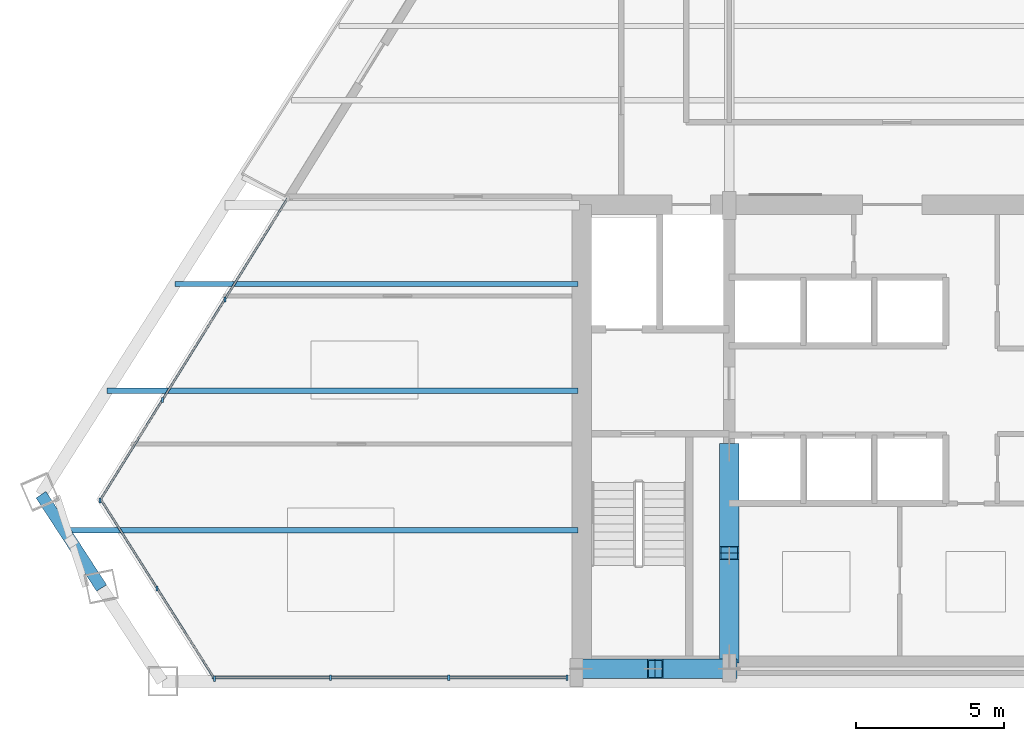
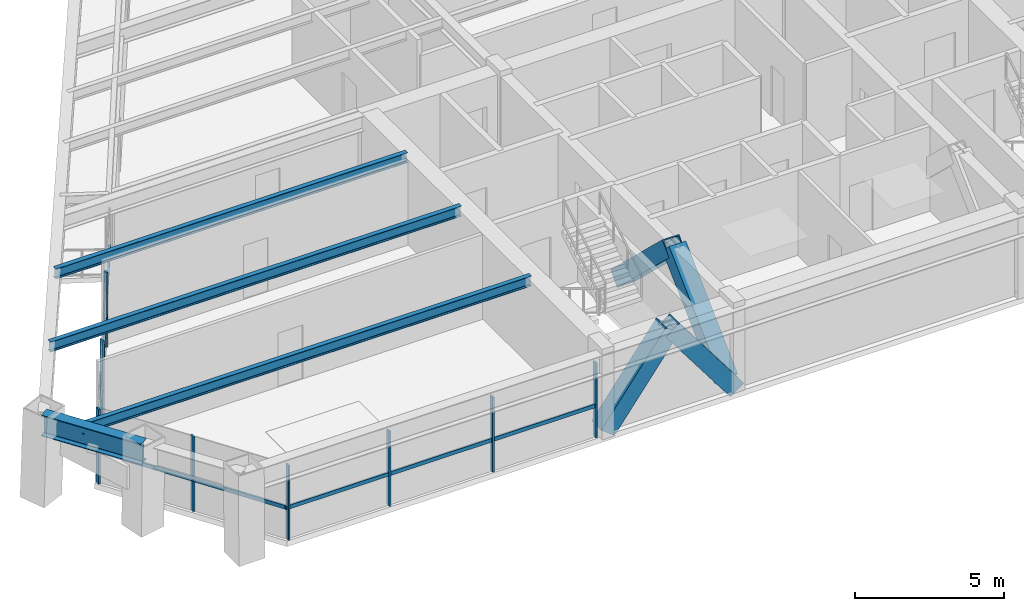
# One storey, part 2 of 15: 20 members, 4 beams, 3 elements without a shape of their own.
"""IFC4 building model written with IfcOpenShell, lengths in metres."""

from ifc_helpers import new_model, si_unit, direction, frame, origin, origin_2d, place, context, subcontext, project, spatial, rectangle, hollow_rectangle, i_section, extrude, source, transform, mapped, material, material_profile, profile_set, type_object, element, aggregate, save


model = new_model("IFC4")

# Units and contexts
model_context = context("Model", 3, precision=1e-05, world=origin(), true_north=direction((0.0, 1.0)))
body_context = subcontext(model_context, "Body", "Model", "MODEL_VIEW")
ifc_project = project(units=[si_unit("LENGTHUNIT", "METRE"), si_unit("AREAUNIT", "SQUARE_METRE"), si_unit("VOLUMEUNIT", "CUBIC_METRE"), si_unit("PLANEANGLEUNIT", "RADIAN"), si_unit("MASSUNIT", "GRAM", prefix="KILO")], contexts=[model_context])

# Site, building, storey
site_placement = place(None, origin())
site = spatial("IfcSite", under=ifc_project, at=site_placement, CompositionType="ELEMENT")
building_placement = place(site_placement, origin())
building = spatial("IfcBuilding", under=site, at=building_placement, Name="Varnakhor Terracotta Tower", CompositionType="ELEMENT")
storey_placement = place(building_placement, frame((0.0, 0.0, 185.800048828125)))
storey = spatial("IfcBuildingStorey", under=building, at=storey_placement, Name="L47", CompositionType="ELEMENT", Elevation=185.800048828125)

# Members
ifc_material_1 = material(Name="Steel S460", Category="steel")
ifc_material_profile_1 = material_profile(ifc_material_1, hollow_rectangle(XDim=0.64990234375, YDim=0.64990234375, WallThickness=0.0400390625, at=origin_2d()), Name="HSS650X650X40")
ifc_profile_set_1 = profile_set([ifc_material_profile_1], Name="Steel S460")
member_type_1 = type_object("IfcMemberType", Name="MBR-MEGA-650", PredefinedType="BRACE", material=ifc_profile_set_1)
shared_shape_1 = source(origin(), body_context, "Body", "SweptSolid", [
    extrude(hollow_rectangle(XDim=0.64990234375, YDim=0.64990234375, WallThickness=0.0400390625, at=origin_2d()), origin(), (0.0, 0.0, 1.0), 4.805908203125),
])
member_1_placement = place(storey_placement, frame((-5.5, 0.85009765625, 0.0), z_axis=(0.0, 0.723026776832, 0.69082000549), x_axis=(-1.0, 0.0, 0.0)))
element("IfcMember", 1, at=member_1_placement, inside=storey, type_object=member_type_1, Name="L47 Core Coupled Brace CWWA", PredefinedType="BRACE", context=body_context, shape_type="MappedRepresentation", body=[
    mapped(shared_shape_1, transform((0.0, 0.0, 0.0), scale=1.0)),
])
shared_shape_2 = source(origin(), body_context, "Body", "SweptSolid", [
    extrude(hollow_rectangle(XDim=0.64990234375, YDim=0.64990234375, WallThickness=0.0400390625, at=origin_2d()), origin(), (0.0, 0.0, 1.0), 4.156005859375),
])
for number, where, z_axis, x_axis, name in (
    (2, (-10.5, 0.419921875, 0.0), (0.601530923869, 0.0, 0.798849515009), (0.0, 1.0, 0.0), "L47 Core Coupled Brace CSWA"),
    (3, (-5.5, 0.419921875, 0.0), (-0.601530923869, 0.0, 0.798849515009), (0.0, -1.0, 0.0), "L47 Core Coupled Brace CSWB"),
):
    element("IfcMember", number, at=place(storey_placement, frame(where, z_axis=z_axis, x_axis=x_axis)), inside=storey, type_object=member_type_1, Name=name, PredefinedType="BRACE", context=body_context, shape_type="MappedRepresentation", body=[
        mapped(shared_shape_2, transform((0.0, 0.0, 0.0), scale=1.0)),
    ])
shared_shape_3 = source(origin(), body_context, "Body", "SweptSolid", [
    extrude(hollow_rectangle(XDim=0.64990234375, YDim=0.64990234375, WallThickness=0.0400390625, at=origin_2d()), origin(), (0.0, 0.0, 1.0), 4.80615234375),
])
member_2_placement = place(storey_placement, frame((-5.5, 7.800048828125, 0.0), z_axis=(0.0, -0.723051018573, 0.690794632681), x_axis=(1.0, 0.0, 0.0)))
element("IfcMember", 4, at=member_2_placement, inside=storey, type_object=member_type_1, Name="L47 Core Coupled Brace CWWB", PredefinedType="BRACE", context=body_context, shape_type="MappedRepresentation", body=[
    mapped(shared_shape_3, transform((0.0, 0.0, 0.0), scale=1.0)),
])

# Beams
ifc_material_2 = material(Name="Steel S355", Category="steel")
ifc_material_profile_2 = material_profile(ifc_material_2, i_section(OverallWidth=0.39990234375, OverallDepth=0.85498046875, WebThickness=0.01806640625, FlangeThickness=0.029052734375, FilletRadius=0.01806640625, at=origin_2d()), Name="W33X201")
ifc_profile_set_2 = profile_set([ifc_material_profile_2], Name="Steel S355")
beam_type_1 = type_object("IfcBeamType", Name="BM-W33X201", PredefinedType="BEAM", material=ifc_profile_set_2)
shared_shape_4 = source(origin(), body_context, "Body", "SweptSolid", [
    extrude(i_section(OverallWidth=0.39990234375, OverallDepth=0.85498046875, WebThickness=0.01806640625, FlangeThickness=0.029052734375, FilletRadius=0.01806640625, at=origin_2d()), origin(), (0.0, 0.0, 1.0), 3.75244140625),
])
beam_1_placement = place(storey_placement, frame((-28.710205078125, 6.294189453125, 3.04248046875), z_axis=(0.544691025118, -0.838636802887, 0.0), x_axis=(0.838636802887, 0.544691025118, 0.0)))
element("IfcBeam", 5, at=beam_1_placement, inside=storey, type_object=beam_type_1, Name="L47 Perimeter Spandrel 7", PredefinedType="BEAM", context=body_context, shape_type="MappedRepresentation", body=[
    mapped(shared_shape_4, transform((0.0, 0.0, 0.0), scale=1.0)),
])
ifc_material_profile_3 = material_profile(ifc_material_2, i_section(OverallWidth=0.179931640625, OverallDepth=0.4130859375, WebThickness=0.009765625, FlangeThickness=0.01611328125, FilletRadius=0.01806640625, at=origin_2d()), Name="W16X50")
ifc_profile_set_3 = profile_set([ifc_material_profile_3], Name="Steel S355")
beam_type_2 = type_object("IfcBeamType", Name="JST-W16X50", PredefinedType="JOIST", material=ifc_profile_set_3)
shared_shape_5 = source(origin(), body_context, "Body", "SweptSolid", [
    extrude(i_section(OverallWidth=0.179931640625, OverallDepth=0.4130859375, WebThickness=0.009765625, FlangeThickness=0.01611328125, FilletRadius=0.01806640625, at=origin_2d()), origin(), (0.0, 0.0, 1.0), 17.33447265625),
])
beam_2_placement = place(storey_placement, frame((-27.9345703125, 5.10009765625, 3.263427734375), z_axis=(1.0, 0.0, 0.0), x_axis=(0.0, 1.0, 0.0)))
element("IfcBeam", 6, at=beam_2_placement, inside=storey, type_object=beam_type_2, Name="L47 Floor Joist W1", PredefinedType="JOIST", context=body_context, shape_type="MappedRepresentation", body=[
    mapped(shared_shape_5, transform((0.0, 0.0, 0.0), scale=1.0)),
])
shared_shape_6 = source(origin(), body_context, "Body", "SweptSolid", [
    extrude(i_section(OverallWidth=0.179931640625, OverallDepth=0.4130859375, WebThickness=0.009765625, FlangeThickness=0.01611328125, FilletRadius=0.01806640625, at=origin_2d()), origin(), (0.0, 0.0, 1.0), 15.8828125),
])
beam_3_placement = place(storey_placement, frame((-26.48291015625, 9.800048828125, 3.263427734375), z_axis=(1.0, 0.0, 0.0), x_axis=(0.0, 1.0, 0.0)))
element("IfcBeam", 7, at=beam_3_placement, inside=storey, type_object=beam_type_2, Name="L47 Floor Joist W2", PredefinedType="JOIST", context=body_context, shape_type="MappedRepresentation", body=[
    mapped(shared_shape_6, transform((0.0, 0.0, 0.0), scale=1.0)),
])
shared_shape_7 = source(origin(), body_context, "Body", "SweptSolid", [
    extrude(i_section(OverallWidth=0.179931640625, OverallDepth=0.4130859375, WebThickness=0.009765625, FlangeThickness=0.01611328125, FilletRadius=0.01806640625, at=origin_2d()), origin(), (0.0, 0.0, 1.0), 13.59521484375),
])
beam_4_placement = place(storey_placement, frame((-24.1953125, 13.39990234375, 3.263427734375), z_axis=(1.0, 0.0, 0.0), x_axis=(0.0, 1.0, 0.0)))
element("IfcBeam", 8, at=beam_4_placement, inside=storey, type_object=beam_type_2, Name="L47 Floor Joist W3", PredefinedType="JOIST", context=body_context, shape_type="MappedRepresentation", body=[
    mapped(shared_shape_7, transform((0.0, 0.0, 0.0), scale=1.0)),
])

# Curtain wall, members
ifc_material_3 = material(Name="Anodised Aluminium Curtain Wall System", Category="aluminium")
curtain_wall_type = type_object("IfcCurtainWallType", Name="CW-SYS-MID-OFFICE", PredefinedType="NOTDEFINED", material=ifc_material_3)
curtain_wall_1_placement = place(storey_placement, origin())
curtain_wall_1 = element("IfcCurtainWall", 9, at=curtain_wall_1_placement, inside=storey, type_object=curtain_wall_type, Name="L47 W Facet Curtain Wall 1", PredefinedType="NOTDEFINED")
ifc_material_4 = material(Name="Anodised Aluminium 6063-T6", Category="aluminium")
ifc_material_profile_4 = material_profile(ifc_material_4, rectangle(XDim=0.070068359375, YDim=0.175048828125, at=origin_2d()), Name="ALU MULLION 70x175")
ifc_profile_set_4 = profile_set([ifc_material_profile_4], Name="Anodised Aluminium 6063-T6")
member_type_2 = type_object("IfcMemberType", Name="CWM-03", PredefinedType="MULLION", material=ifc_profile_set_4)
shared_shape_8 = source(origin(), body_context, "Body", "SweptSolid", [
    extrude(rectangle(XDim=0.070068359375, YDim=0.175048828125, at=origin_2d()), origin(), (0.0, 0.0, 1.0), 3.050048828125),
])
member_3_placement = place(storey_placement, frame((-26.718505859375, 6.1005859375, 0.0), z_axis=(0.0, 0.0, 1.0), x_axis=(1.0, 0.0, 0.0)))
member_3 = element("IfcMember", 10, at=member_3_placement, type_object=member_type_2, Name="L47 W Facet Curtain Wall 1 Mullion 1", PredefinedType="MULLION", context=body_context, shape_type="MappedRepresentation", body=[
    mapped(shared_shape_8, transform((0.0, 0.0, 0.0), scale=1.0)),
])
member_4_placement = place(storey_placement, frame((-24.6142578125, 9.49072265625, 0.0), z_axis=(0.0, 0.0, 1.0), x_axis=(1.0, 0.0, 0.0)))
member_4 = element("IfcMember", 11, at=member_4_placement, type_object=member_type_2, Name="L47 W Facet Curtain Wall 1 Mullion 2", PredefinedType="MULLION", context=body_context, shape_type="MappedRepresentation", body=[
    mapped(shared_shape_8, transform((0.0, 0.0, 0.0), scale=1.0)),
])
member_5_placement = place(storey_placement, frame((-22.510009765625, 12.880859375, 0.0), z_axis=(0.0, 0.0, 1.0), x_axis=(1.0, 0.0, 0.0)))
member_5 = element("IfcMember", 12, at=member_5_placement, type_object=member_type_2, Name="L47 W Facet Curtain Wall 1 Mullion 3", PredefinedType="MULLION", context=body_context, shape_type="MappedRepresentation", body=[
    mapped(shared_shape_8, transform((0.0, 0.0, 0.0), scale=1.0)),
])

curtain_wall_2_placement = place(storey_placement, origin())
curtain_wall_2 = element("IfcCurtainWall", 13, at=curtain_wall_2_placement, inside=storey, type_object=curtain_wall_type, Name="L47 South Wing Curtain Wall SSW", PredefinedType="NOTDEFINED")
member_6_placement = place(storey_placement, frame((-10.969970703125, 0.1201171875, 0.0), z_axis=(0.0, 0.0, 1.0), x_axis=(1.0, 0.0, 0.0)))
member_6 = element("IfcMember", 14, at=member_6_placement, type_object=member_type_2, Name="L47 South Wing Curtain Wall SSW Mullion 1", PredefinedType="MULLION", context=body_context, shape_type="MappedRepresentation", body=[
    mapped(shared_shape_8, transform((0.0, 0.0, 0.0), scale=1.0)),
])
member_7_placement = place(storey_placement, frame((-14.95947265625, 0.1201171875, 0.0), z_axis=(0.0, 0.0, 1.0), x_axis=(1.0, 0.0, 0.0)))
member_7 = element("IfcMember", 15, at=member_7_placement, type_object=member_type_2, Name="L47 South Wing Curtain Wall SSW Mullion 2", PredefinedType="MULLION", context=body_context, shape_type="MappedRepresentation", body=[
    mapped(shared_shape_8, transform((0.0, 0.0, 0.0), scale=1.0)),
])
member_8_placement = place(storey_placement, frame((-18.94873046875, 0.1201171875, 0.0), z_axis=(0.0, 0.0, 1.0), x_axis=(1.0, 0.0, 0.0)))
member_8 = element("IfcMember", 16, at=member_8_placement, type_object=member_type_2, Name="L47 South Wing Curtain Wall SSW Mullion 3", PredefinedType="MULLION", context=body_context, shape_type="MappedRepresentation", body=[
    mapped(shared_shape_8, transform((0.0, 0.0, 0.0), scale=1.0)),
])

curtain_wall_3_placement = place(storey_placement, origin())
curtain_wall_3 = element("IfcCurtainWall", 17, at=curtain_wall_3_placement, inside=storey, type_object=curtain_wall_type, Name="L47 Facet Curtain Wall 6", PredefinedType="NOTDEFINED")
member_9_placement = place(storey_placement, frame((-22.86279296875, 0.089599609375, 0.0), z_axis=(0.0, 0.0, 1.0), x_axis=(1.0, 0.0, 0.0)))
member_9 = element("IfcMember", 18, at=member_9_placement, type_object=member_type_2, Name="L47 Facet Curtain Wall 6 Mullion 1", PredefinedType="MULLION", context=body_context, shape_type="MappedRepresentation", body=[
    mapped(shared_shape_8, transform((0.0, 0.0, 0.0), scale=1.0)),
])
member_10_placement = place(storey_placement, frame((-24.791015625, 3.13330078125, 0.0), z_axis=(0.0, 0.0, 1.0), x_axis=(1.0, 0.0, 0.0)))
member_10 = element("IfcMember", 19, at=member_10_placement, type_object=member_type_2, Name="L47 Facet Curtain Wall 6 Mullion 2", PredefinedType="MULLION", context=body_context, shape_type="MappedRepresentation", body=[
    mapped(shared_shape_8, transform((0.0, 0.0, 0.0), scale=1.0)),
])

# Member
ifc_material_profile_5 = material_profile(ifc_material_4, rectangle(XDim=0.070068359375, YDim=0.155029296875, at=origin_2d()), Name="ALU TRANSOM 70x155")
ifc_profile_set_5 = profile_set([ifc_material_profile_5], Name="Anodised Aluminium 6063-T6")
member_type_3 = type_object("IfcMemberType", Name="CWT-03", PredefinedType="USERDEFINED", material=ifc_profile_set_5)
shared_shape_9 = source(origin(), body_context, "Body", "SweptSolid", [
    extrude(rectangle(XDim=0.070068359375, YDim=0.155029296875, at=origin_2d()), origin(), (0.0, 0.0, 1.0), 3.989990234375),
])
member_11_placement = place(storey_placement, frame((-26.718505859375, 6.1005859375, 1.281005859375), z_axis=(0.527367431071, 0.849637330068, 0.0), x_axis=(-0.849637330068, 0.527367431071, 0.0)))
member_11 = element("IfcMember", 20, at=member_11_placement, type_object=member_type_3, Name="L47 W Facet Curtain Wall 1 Transom 1", ObjectType="TRANSOM", PredefinedType="USERDEFINED", context=body_context, shape_type="MappedRepresentation", body=[
    mapped(shared_shape_9, transform((0.0, 0.0, 0.0), scale=1.0)),
])

member_12_placement = place(storey_placement, frame((-24.6142578125, 9.49072265625, 1.281005859375), z_axis=(0.527367431071, 0.849637330068, 0.0), x_axis=(-0.849637330068, 0.527367431071, 0.0)))
member_12 = element("IfcMember", 21, at=member_12_placement, type_object=member_type_3, Name="L47 W Facet Curtain Wall 1 Transom 2", ObjectType="TRANSOM", PredefinedType="USERDEFINED", context=body_context, shape_type="MappedRepresentation", body=[
    mapped(shared_shape_9, transform((0.0, 0.0, 0.0), scale=1.0)),
])

member_13_placement = place(storey_placement, frame((-22.510009765625, 12.880859375, 1.281005859375), z_axis=(0.527367431071, 0.849637330068, 0.0), x_axis=(-0.849637330068, 0.527367431071, 0.0)))
member_13 = element("IfcMember", 22, at=member_13_placement, type_object=member_type_3, Name="L47 W Facet Curtain Wall 1 Transom 3", ObjectType="TRANSOM", PredefinedType="USERDEFINED", context=body_context, shape_type="MappedRepresentation", body=[
    mapped(shared_shape_9, transform((0.0, 0.0, 0.0), scale=1.0)),
])

aggregate(curtain_wall_1, [member_3, member_11, member_4, member_12, member_5, member_13])

shared_shape_10 = source(origin(), body_context, "Body", "SweptSolid", [
    extrude(rectangle(XDim=0.070068359375, YDim=0.155029296875, at=origin_2d()), origin(), (0.0, 0.0, 1.0), 3.989501953125),
])
member_14_placement = place(storey_placement, frame((-10.969970703125, 0.1201171875, 1.281005859375), z_axis=(-1.0, 0.0, 0.0), x_axis=(0.0, -1.0, 0.0)))
member_14 = element("IfcMember", 23, at=member_14_placement, type_object=member_type_3, Name="L47 South Wing Curtain Wall SSW Transom 1", ObjectType="TRANSOM", PredefinedType="USERDEFINED", context=body_context, shape_type="MappedRepresentation", body=[
    mapped(shared_shape_10, transform((0.0, 0.0, 0.0), scale=1.0)),
])

shared_shape_11 = source(origin(), body_context, "Body", "SweptSolid", [
    extrude(rectangle(XDim=0.070068359375, YDim=0.155029296875, at=origin_2d()), origin(), (0.0, 0.0, 1.0), 3.9892578125),
])
member_15_placement = place(storey_placement, frame((-14.95947265625, 0.1201171875, 1.281005859375), z_axis=(-1.0, 0.0, 0.0), x_axis=(0.0, -1.0, 0.0)))
member_15 = element("IfcMember", 24, at=member_15_placement, type_object=member_type_3, Name="L47 South Wing Curtain Wall SSW Transom 2", ObjectType="TRANSOM", PredefinedType="USERDEFINED", context=body_context, shape_type="MappedRepresentation", body=[
    mapped(shared_shape_11, transform((0.0, 0.0, 0.0), scale=1.0)),
])

member_16_placement = place(storey_placement, frame((-18.94873046875, 0.1201171875, 1.281005859375), z_axis=(-1.0, 0.0, 0.0), x_axis=(0.0, -1.0, 0.0)))
member_16 = element("IfcMember", 25, at=member_16_placement, type_object=member_type_3, Name="L47 South Wing Curtain Wall SSW Transom 3", ObjectType="TRANSOM", PredefinedType="USERDEFINED", context=body_context, shape_type="MappedRepresentation", body=[
    mapped(shared_shape_11, transform((0.0, 0.0, 0.0), scale=1.0)),
])

aggregate(curtain_wall_2, [member_6, member_14, member_7, member_15, member_8, member_16])

shared_shape_12 = source(origin(), body_context, "Body", "SweptSolid", [
    extrude(rectangle(XDim=0.070068359375, YDim=0.155029296875, at=origin_2d()), origin(), (0.0, 0.0, 1.0), 3.60302734375),
])
member_17_placement = place(storey_placement, frame((-22.86279296875, 0.089599609375, 1.281005859375), z_axis=(-0.53516008273, 0.844750664902, 0.0), x_axis=(-0.844750664902, -0.53516008273, 0.0)))
member_17 = element("IfcMember", 26, at=member_17_placement, type_object=member_type_3, Name="L47 Facet Curtain Wall 6 Transom 1", ObjectType="TRANSOM", PredefinedType="USERDEFINED", context=body_context, shape_type="MappedRepresentation", body=[
    mapped(shared_shape_12, transform((0.0, 0.0, 0.0), scale=1.0)),
])

shared_shape_13 = source(origin(), body_context, "Body", "SweptSolid", [
    extrude(rectangle(XDim=0.070068359375, YDim=0.155029296875, at=origin_2d()), origin(), (0.0, 0.0, 1.0), 3.603271484375),
])
member_18_placement = place(storey_placement, frame((-24.791015625, 3.13330078125, 1.281005859375), z_axis=(-0.535081096775, 0.844800698315, 0.0), x_axis=(-0.844800698315, -0.535081096775, 0.0)))
member_18 = element("IfcMember", 27, at=member_18_placement, type_object=member_type_3, Name="L47 Facet Curtain Wall 6 Transom 2", ObjectType="TRANSOM", PredefinedType="USERDEFINED", context=body_context, shape_type="MappedRepresentation", body=[
    mapped(shared_shape_13, transform((0.0, 0.0, 0.0), scale=1.0)),
])

aggregate(curtain_wall_3, [member_9, member_17, member_10, member_18])

save(model, "model.ifc")
